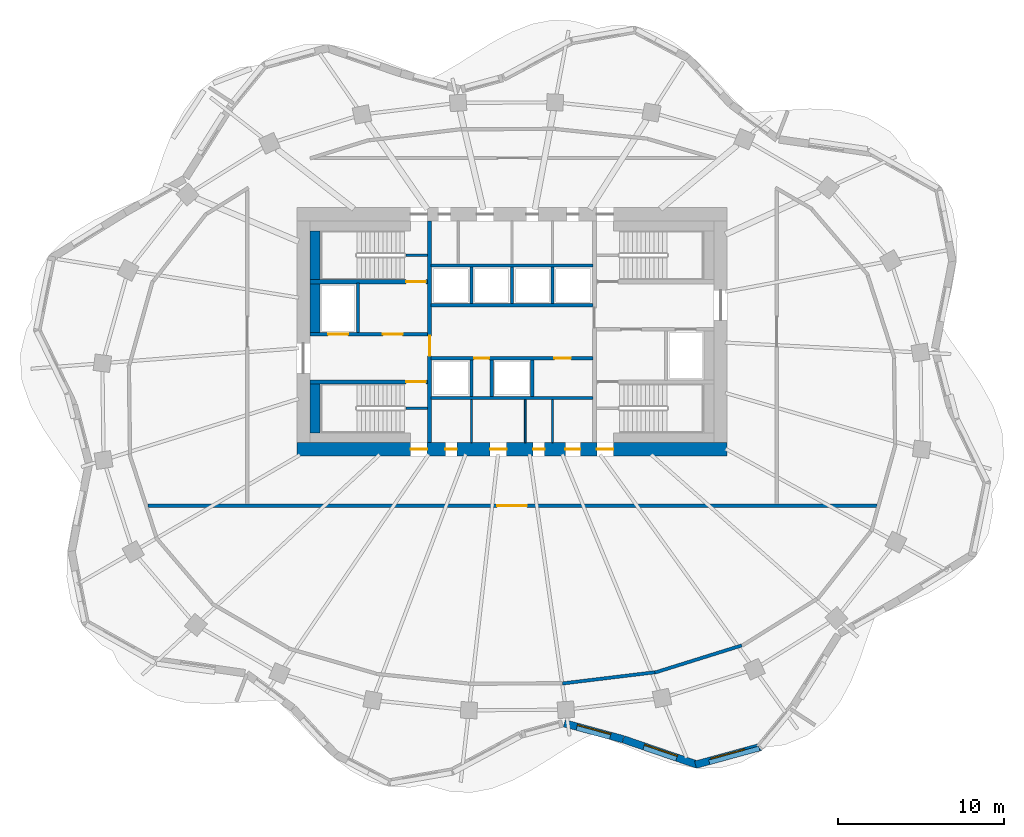
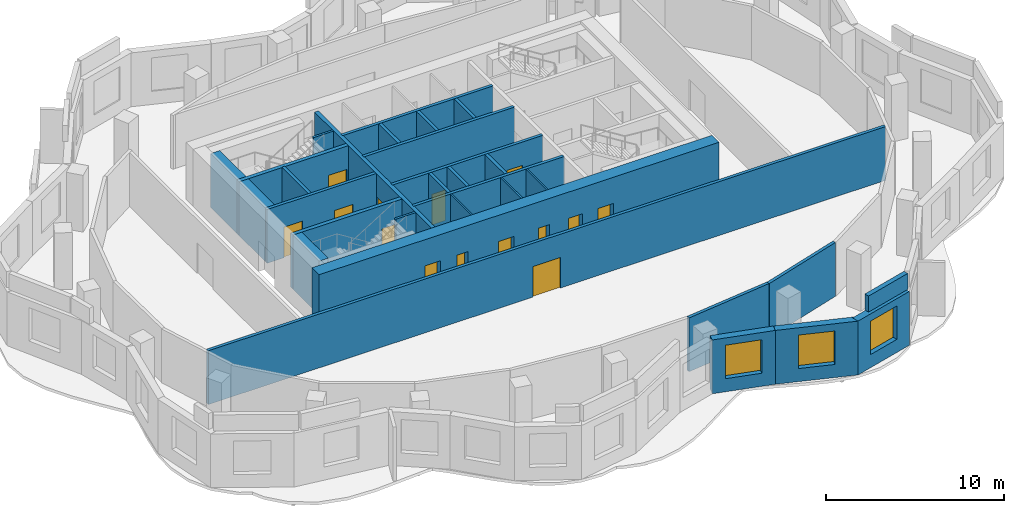
# One storey, part 4 of 8: 31 walls, 14 doors, 3 windows, 17 openings.
"""IFC4 building model written with IfcOpenShell, lengths in metres."""

import ifcopenshell
import ifcopenshell.guid

model = None  # the IFC model being written
_history = None  # IfcOwnerHistory: only IFC2X3 demands one
_inside = {}  # id of a spatial element -> (the spatial element, [elements in it])
_under = {}  # id of a project, library or spatial element -> (it, [spatial elements below it])
_declared = {}  # id of a project -> (the project, [libraries it declares])
_typed = {}  # id of a type object -> (the type object, [elements of that type])
_made_of = {}  # id of a material, layer set ... -> (it, [elements and type objects made of it])


def new_model(schema):
    """Start an empty IFC model of exactly this schema.

    Asked for "IFC4X3", IfcOpenShell would pick the latest addendum, in which some entities
    have other attributes; the version numbers below select the first issue.
    IFC2X3 requires an IfcOwnerHistory on every rooted entity: one is made here for all.
    """
    global model, _history
    if schema == "IFC4X3":
        model = ifcopenshell.file(schema_version=(4, 3, 0, 0))
    else:
        model = ifcopenshell.file(schema=schema)
    _inside.clear()
    _under.clear()
    _declared.clear()
    _typed.clear()
    _made_of.clear()
    _history = None
    if model.schema == "IFC2X3":
        org = make("IfcOrganization", Name="unknown")
        user = make(
            "IfcPersonAndOrganization",
            ThePerson=make("IfcPerson", FamilyName="unknown"),
            TheOrganization=org,
        )
        app = make(
            "IfcApplication",
            ApplicationDeveloper=org,
            Version="unknown",
            ApplicationFullName="unknown",
            ApplicationIdentifier="unknown",
        )
        _history = make(
            "IfcOwnerHistory",
            OwningUser=user,
            OwningApplication=app,
            ChangeAction="ADDED",
            CreationDate=0,
        )
    return model


def make(cls, **values):
    """One entity of the class cls with the attributes given. An attribute that is None is left unset."""
    return model.create_entity(
        cls, **{name: value for name, value in values.items() if value is not None}
    )


def rooted(cls, **values):
    """An entity with a GlobalId (a new one), such as an element, a storey or a relation."""
    return make(cls, GlobalId=ifcopenshell.guid.new(), OwnerHistory=_history, **values)


def si_unit(unit_type, name, prefix=None):
    """IfcSIUnit, for example si_unit("LENGTHUNIT", "METRE", prefix="MILLI")."""
    return make("IfcSIUnit", UnitType=unit_type, Prefix=prefix, Name=name)


def assignment(units):
    """IfcUnitAssignment: the units of a project."""
    return None if units is None else make("IfcUnitAssignment", Units=units)


def point(xyz):
    """IfcCartesianPoint."""
    return None if xyz is None else make("IfcCartesianPoint", Coordinates=xyz)


def direction(xyz):
    """IfcDirection."""
    return None if xyz is None else make("IfcDirection", DirectionRatios=xyz)


def frame(location, z_axis=None, x_axis=None):
    """IfcAxis2Placement3D, a coordinate frame: its origin and axes. An axis left out is left unset."""
    return make(
        "IfcAxis2Placement3D",
        Location=point(location),
        Axis=direction(z_axis),
        RefDirection=direction(x_axis),
    )


def frame_2d(location, x_axis=None):
    """IfcAxis2Placement2D, a coordinate frame in the plane: its origin and x axis."""
    return make(
        "IfcAxis2Placement2D", Location=point(location), RefDirection=direction(x_axis)
    )


def origin():
    """The frame at (0, 0, 0) with its axes left unset."""
    return frame((0.0, 0.0, 0.0))


def place(relative_to, where):
    """IfcLocalPlacement: puts the frame where relative to a parent placement (None: the world)."""
    return make(
        "IfcLocalPlacement", PlacementRelTo=relative_to, RelativePlacement=where
    )


def context(
    kind, dimensions, precision=None, world=None, true_north=None, identifier=None
):
    """IfcGeometricRepresentationContext, for example the 3D "Model" context."""
    return make(
        "IfcGeometricRepresentationContext",
        ContextIdentifier=identifier,
        ContextType=kind,
        CoordinateSpaceDimension=dimensions,
        Precision=precision,
        WorldCoordinateSystem=world,
        TrueNorth=true_north,
    )


def subcontext(parent, identifier, kind, view, scale=None):
    """IfcGeometricRepresentationSubContext, for example "Body" below "Model"."""
    return make(
        "IfcGeometricRepresentationSubContext",
        ContextIdentifier=identifier,
        ContextType=kind,
        ParentContext=parent,
        TargetScale=scale,
        TargetView=view,
    )


def project(units=None, contexts=None):
    """IfcProject with its units and contexts."""
    return rooted(
        "IfcProject",
        Name="project",
        RepresentationContexts=contexts,
        UnitsInContext=assignment(units),
    )


def spatial(cls, under=None, at=None, **own):
    """A site, building, storey or space (cls), placed at a placement, below another one or the project."""
    s = rooted(cls, ObjectPlacement=at, **own)
    if under is not None:
        _under.setdefault(under.id(), (under, []))[1].append(s)
    return s


def profile(cls, at=None, kind="AREA", **sizes):
    """A parametric profile (cls). Its sizes go by their IFC names, for example OverallWidth=200.0."""
    return make(cls, ProfileType=kind, Position=at, **sizes)


def rectangle(**sizes):
    """IfcRectangleProfileDef."""
    return profile("IfcRectangleProfileDef", **sizes)


def extrude(swept, where, along, depth):
    """IfcExtrudedAreaSolid: the profile swept, set in the frame where, extruded along a direction by depth."""
    return make(
        "IfcExtrudedAreaSolid",
        SweptArea=swept,
        Position=where,
        ExtrudedDirection=direction(along),
        Depth=depth,
    )


def shape(context_of_items, identifier, shape_type, items):
    """IfcShapeRepresentation: the items that make up one representation, for example the "Body"."""
    return make(
        "IfcShapeRepresentation",
        ContextOfItems=context_of_items,
        RepresentationIdentifier=identifier,
        RepresentationType=shape_type,
        Items=items,
    )


def material(Name=None, Category=None):
    """IfcMaterial."""
    return make("IfcMaterial", Name=Name, Category=Category)


def layer(
    of_material, thickness, ventilated=None, Name=None, Category=None, Priority=None
):
    """IfcMaterialLayer: one layer of a wall or slab, of a material (None: an air gap)."""
    return make(
        "IfcMaterialLayer",
        Material=of_material,
        LayerThickness=thickness,
        IsVentilated=ventilated,
        Name=Name,
        Category=Category,
        Priority=Priority,
    )


def layer_set(layers, Name=None):
    """IfcMaterialLayerSet."""
    return make("IfcMaterialLayerSet", MaterialLayers=layers, LayerSetName=Name)


def made_of(thing, what):
    """Note that an element or type object is made of a material, layer set ...; save() writes the relation."""
    if what is not None:
        _made_of.setdefault(what.id(), (what, []))[1].append(thing)
    return thing


def type_object(cls, material=None, **own):
    """A type object (cls), such as IfcWallType, which elements share."""
    return made_of(rooted(cls, **own), material)


def element(
    cls,
    number,
    at=None,
    inside=None,
    cuts=None,
    type_object=None,
    material=None,
    context=None,
    identifier="Body",
    shape_type=None,
    held_by="IfcProductDefinitionShape",
    body=None,
    shapes=None,
    **own,
):
    """One element of the class cls, such as IfcWall. Its Tag is "e" and its number.

    at: its placement. inside: the storey or other place that contains it. cuts: it is an
    opening in that element (IfcRelVoidsElement). A single representation is given by context,
    identifier, shape_type and body (its items); several are given by shapes. held_by: the class
    of the entity that holds the representations. save() writes the other relations.
    """
    e = rooted(cls, Tag="e%d" % number, ObjectPlacement=at, **own)
    if body is not None:
        shapes = [shape(context, identifier, shape_type, body)]
    if shapes is not None:
        e.Representation = make(held_by, Representations=shapes)
    if inside is not None:
        _inside.setdefault(inside.id(), (inside, []))[1].append(e)
    if cuts is not None:
        rooted(
            "IfcRelVoidsElement", RelatingBuildingElement=cuts, RelatedOpeningElement=e
        )
    if type_object is not None:
        _typed.setdefault(type_object.id(), (type_object, []))[1].append(e)
    return made_of(e, material)


def fill(opening, filler):
    """IfcRelFillsElement: the door or window that sits in an opening."""
    return rooted(
        "IfcRelFillsElement",
        RelatingOpeningElement=opening,
        RelatedBuildingElement=filler,
    )


def aggregate(whole, parts):
    """IfcRelAggregates: a whole, such as a stair, and the parts it consists of."""
    return rooted("IfcRelAggregates", RelatingObject=whole, RelatedObjects=parts)


def save(model, path):
    """Write the relations noted so far, then the file.

    IfcRelAggregates (storeys below a building ...), IfcRelContainedInSpatialStructure (elements
    in a storey), IfcRelDefinesByType, IfcRelAssociatesMaterial and IfcRelDeclares: one each for
    every whole, place, type object, material and project.
    """
    for whole, parts in _under.values():
        aggregate(whole, parts)
    for where, things in _inside.values():
        rooted(
            "IfcRelContainedInSpatialStructure",
            RelatedElements=things,
            RelatingStructure=where,
        )
    for kind, things in _typed.values():
        rooted("IfcRelDefinesByType", RelatedObjects=things, RelatingType=kind)
    for what, things in _made_of.values():
        rooted("IfcRelAssociatesMaterial", RelatedObjects=things, RelatingMaterial=what)
    for by, libraries in _declared.values():
        rooted("IfcRelDeclares", RelatingContext=by, RelatedDefinitions=libraries)
    model.write(path)


model = new_model("IFC4")

# Units and contexts
model_context = context("Model", 3, precision=1e-05, world=origin(), true_north=direction((0.0, 1.0)))
body_context = subcontext(model_context, "Body", "Model", "MODEL_VIEW")
ifc_project = project(units=[si_unit("LENGTHUNIT", "METRE"), si_unit("AREAUNIT", "SQUARE_METRE"), si_unit("VOLUMEUNIT", "CUBIC_METRE"), si_unit("PLANEANGLEUNIT", "RADIAN"), si_unit("MASSUNIT", "GRAM", prefix="KILO")], contexts=[model_context])

# Site, building, storey
site_placement = place(None, origin())
site = spatial("IfcSite", under=ifc_project, at=site_placement, CompositionType="ELEMENT")
building_placement = place(site_placement, origin())
building = spatial("IfcBuilding", under=site, at=building_placement, Name="Rubra Terraces Tower", CompositionType="ELEMENT")
storey_placement = place(building_placement, frame((0.0, 0.0, 193.5)))
storey = spatial("IfcBuildingStorey", under=building, at=storey_placement, Name="L47", CompositionType="ELEMENT", Elevation=193.5)

# Wall, opening, window
ifc_material_1 = material(Name="Brick masonry red-brown", Category="masonry")
ifc_layer_1 = layer(ifc_material_1, 0.449951171875)
ifc_layer_set_1 = layer_set([ifc_layer_1], Name="Brick masonry red-brown")
wall_type_1 = type_object("IfcWallType", Name="Brick facade wall 450", PredefinedType="SOLIDWALL", material=ifc_layer_set_1)
wall_1_placement = place(storey_placement, frame((3.164306640625, -19.147216796875, 0.0), z_axis=(0.0, 0.0, 1.0), x_axis=(0.965039479998, -0.262104563191, 0.0)))
wall_1 = element("IfcWall", 1, at=wall_1_placement, inside=storey, type_object=wall_type_1, Name="Facade wall L47 bay 32", PredefinedType="SOLIDWALL", context=body_context, shape_type="SweptSolid", body=[
    extrude(rectangle(XDim=3.671875, YDim=0.449951171875, at=frame_2d((1.8359375, 0.0))), origin(), (0.0, 0.0, 1.0), 3.699951171875),
])
opening_1_placement = place(wall_1_placement, frame((0.785888671875, 0.0, 0.89990234375)))
opening_1 = element("IfcOpeningElement", 2, at=opening_1_placement, cuts=wall_1, Name="Opening W1B", PredefinedType="OPENING", context=body_context, shape_type="SweptSolid", body=[
    extrude(rectangle(XDim=2.10009765625, YDim=2.300048828125, at=frame_2d((1.050048828125, 1.14990234375))), frame((0.0, 0.23486328125, 0.0), z_axis=(0.0, -1.0, 0.0), x_axis=(1.0, 0.0, 0.0)), (0.0, 0.0, 1.0), 0.469970703125),
])
ifc_material_2 = material(Name="Clear glass in aluminium frame", Category="aluminium")
window_type = type_object("IfcWindowType", Name="Fixed deep-set window tall storey 2100 x 2300", PartitioningType="SINGLE_PANEL", PredefinedType="WINDOW", material=ifc_material_2)
window_1_placement = place(opening_1_placement, origin())
window_1 = element("IfcWindow", 3, at=window_1_placement, inside=storey, type_object=window_type, Name="Window L47 bay 32", OverallHeight=2.300048828125, OverallWidth=2.10009765625, PartitioningType="SINGLE_PANEL", PredefinedType="WINDOW", context=body_context, shape_type="SweptSolid", body=[
    extrude(rectangle(XDim=2.10009765625, YDim=2.300048828125, at=frame_2d((1.050048828125, 1.14990234375))), frame((0.0, 0.135009765625, 0.0), z_axis=(0.0, -1.0, 0.0), x_axis=(1.0, 0.0, 0.0)), (0.0, 0.0, 1.0), 0.06005859375),
])
fill(opening_1, window_1)

wall_2_placement = place(storey_placement, frame((6.722900390625, -20.114013671875, 0.0), z_axis=(0.0, 0.0, 1.0), x_axis=(0.945947299026, -0.324320377815, 0.0)))
wall_2 = element("IfcWall", 4, at=wall_2_placement, inside=storey, type_object=wall_type_1, Name="Facade wall L47 bay 33", PredefinedType="SOLIDWALL", context=body_context, shape_type="SweptSolid", body=[
    extrude(rectangle(XDim=4.74462890625, YDim=0.449951171875, at=frame_2d((2.372314453125, 0.0))), origin(), (0.0, 0.0, 1.0), 3.699951171875),
])
opening_2_placement = place(wall_2_placement, frame((1.322265625, 0.0, 0.89990234375)))
opening_2 = element("IfcOpeningElement", 5, at=opening_2_placement, cuts=wall_2, Name="Opening W1B", PredefinedType="OPENING", context=body_context, shape_type="SweptSolid", body=[
    extrude(rectangle(XDim=2.10009765625, YDim=2.300048828125, at=frame_2d((1.050048828125, 1.14990234375))), frame((0.0, 0.23486328125, 0.0), z_axis=(0.0, -1.0, 0.0), x_axis=(1.0, 0.0, 0.0)), (0.0, 0.0, 1.0), 0.469970703125),
])
window_2_placement = place(opening_2_placement, origin())
window_2 = element("IfcWindow", 6, at=window_2_placement, inside=storey, type_object=window_type, Name="Window L47 bay 33", OverallHeight=2.300048828125, OverallWidth=2.10009765625, PartitioningType="SINGLE_PANEL", PredefinedType="WINDOW", context=body_context, shape_type="SweptSolid", body=[
    extrude(rectangle(XDim=2.10009765625, YDim=2.300048828125, at=frame_2d((1.050048828125, 1.14990234375))), frame((0.0, 0.135009765625, 0.0), z_axis=(0.0, -1.0, 0.0), x_axis=(1.0, 0.0, 0.0)), (0.0, 0.0, 1.0), 0.06005859375),
])
fill(opening_2, window_2)

wall_3_placement = place(storey_placement, frame((11.08251953125, -21.64990234375, 0.0), z_axis=(0.0, 0.0, 1.0), x_axis=(0.964483204983, 0.264144179011, 0.0)))
wall_3 = element("IfcWall", 7, at=wall_3_placement, inside=storey, type_object=wall_type_1, Name="Facade wall L47 bay 34", PredefinedType="SOLIDWALL", context=body_context, shape_type="SweptSolid", body=[
    extrude(rectangle(XDim=4.103759765625, YDim=0.449951171875, at=frame_2d((2.0517578125, 0.0))), origin(), (0.0, 0.0, 1.0), 3.699951171875),
])
opening_3_placement = place(wall_3_placement, frame((1.001953125, 0.0, 0.89990234375)))
opening_3 = element("IfcOpeningElement", 8, at=opening_3_placement, cuts=wall_3, Name="Opening W1B", PredefinedType="OPENING", context=body_context, shape_type="SweptSolid", body=[
    extrude(rectangle(XDim=2.10009765625, YDim=2.300048828125, at=frame_2d((1.050048828125, 1.14990234375))), frame((0.0, 0.23486328125, 0.0), z_axis=(0.0, -1.0, 0.0), x_axis=(1.0, 0.0, 0.0)), (0.0, 0.0, 1.0), 0.469970703125),
])
window_3_placement = place(opening_3_placement, origin())
window_3 = element("IfcWindow", 9, at=window_3_placement, inside=storey, type_object=window_type, Name="Window L47 bay 34", OverallHeight=2.300048828125, OverallWidth=2.10009765625, PartitioningType="SINGLE_PANEL", PredefinedType="WINDOW", context=body_context, shape_type="SweptSolid", body=[
    extrude(rectangle(XDim=2.10009765625, YDim=2.300048828125, at=frame_2d((1.050048828125, 1.14990234375))), frame((0.0, 0.135009765625, 0.0), z_axis=(0.0, -1.0, 0.0), x_axis=(1.0, 0.0, 0.0)), (0.0, 0.0, 1.0), 0.06005859375),
])
fill(opening_3, window_3)

# Wall
ifc_layer_2 = layer(ifc_material_1, 0.300048828125)
ifc_layer_set_2 = layer_set([ifc_layer_2], Name="Brick masonry red-brown")
wall_type_2 = type_object("IfcWallType", Name="Brick parapet 300", PredefinedType="PARAPET", material=ifc_layer_set_2)
wall_4_placement = place(storey_placement, frame((11.916259765625, -21.49951171875, 3.89990234375), z_axis=(0.0, 0.0, 1.0), x_axis=(0.964473787466, 0.264178563271, 0.0)))
element("IfcWall", 10, at=wall_4_placement, inside=storey, type_object=wall_type_2, Name="Parapet L47 bay 34", PredefinedType="PARAPET", context=body_context, shape_type="SweptSolid", body=[
    extrude(rectangle(XDim=3.1337890625, YDim=0.300048828125, at=frame_2d((1.56689453125, 0.0))), origin(), (0.0, 0.0, 1.0), 1.10009765625),
])

# Wall, openings, doors
ifc_material_3 = material(Name="Concrete C50", Category="concrete")
ifc_layer_3 = layer(ifc_material_3, 0.800048828125)
ifc_layer_set_3 = layer_set([ifc_layer_3], Name="Concrete C50")
wall_type_3 = type_object("IfcWallType", Name="CORE WALL 800 C50", PredefinedType="SHEAR", material=ifc_layer_set_3)
wall_5_placement = place(storey_placement, frame((-13.0, -2.60009765625, 0.0), z_axis=(0.0, 0.0, 1.0), x_axis=(1.0, 0.0, 0.0)))
wall_5 = element("IfcWall", 11, at=wall_5_placement, inside=storey, type_object=wall_type_3, Name="CORE WALL S L47", PredefinedType="SHEAR", context=body_context, shape_type="SweptSolid", body=[
    extrude(rectangle(XDim=26.0, YDim=0.800048828125, at=frame_2d((13.0, 0.0))), origin(), (0.0, 0.0, 1.0), 3.89990234375),
])
opening_4_placement = place(wall_5_placement, frame((8.97509765625, 0.0, 0.0)))
opening_4 = element("IfcOpeningElement", 12, at=opening_4_placement, cuts=wall_5, Name="Opening L47.C15", PredefinedType="OPENING", context=body_context, shape_type="SweptSolid", body=[
    extrude(rectangle(XDim=0.699951171875, YDim=2.10009765625, at=frame_2d((0.35009765625, 1.050048828125))), frame((0.0, 0.409912109375, 0.0), z_axis=(0.0, -1.0, 0.0), x_axis=(1.0, 0.0, 0.0)), (0.0, 0.0, 1.0), 0.820068359375),
])
opening_5_placement = place(wall_5_placement, frame((11.675048828125, 0.0, 0.0)))
opening_5 = element("IfcOpeningElement", 13, at=opening_5_placement, cuts=wall_5, Name="Opening L47.C16", PredefinedType="OPENING", context=body_context, shape_type="SweptSolid", body=[
    extrude(rectangle(XDim=1.0, YDim=2.10009765625, at=frame_2d((0.5, 1.050048828125))), frame((0.0, 0.409912109375, 0.0), z_axis=(0.0, -1.0, 0.0), x_axis=(1.0, 0.0, 0.0)), (0.0, 0.0, 1.0), 0.820068359375),
])
opening_6_placement = place(wall_5_placement, frame((14.27490234375, 0.0, 0.0)))
opening_6 = element("IfcOpeningElement", 14, at=opening_6_placement, cuts=wall_5, Name="Opening L47.C17", PredefinedType="OPENING", context=body_context, shape_type="SweptSolid", body=[
    extrude(rectangle(XDim=0.699951171875, YDim=2.10009765625, at=frame_2d((0.35009765625, 1.050048828125))), frame((0.0, 0.409912109375, 0.0), z_axis=(0.0, -1.0, 0.0), x_axis=(1.0, 0.0, 0.0)), (0.0, 0.0, 1.0), 0.820068359375),
])
opening_7_placement = place(wall_5_placement, frame((16.22509765625, 0.0, 0.0)))
opening_7 = element("IfcOpeningElement", 15, at=opening_7_placement, cuts=wall_5, Name="Opening L47.C18", PredefinedType="OPENING", context=body_context, shape_type="SweptSolid", body=[
    extrude(rectangle(XDim=0.89990234375, YDim=2.10009765625, at=frame_2d((0.449951171875, 1.050048828125))), frame((0.0, 0.409912109375, 0.0), z_axis=(0.0, -1.0, 0.0), x_axis=(1.0, 0.0, 0.0)), (0.0, 0.0, 1.0), 0.820068359375),
])
opening_8_placement = place(wall_5_placement, frame((6.8798828125, 0.0, 0.0)))
opening_8 = element("IfcOpeningElement", 16, at=opening_8_placement, cuts=wall_5, Name="Opening L47.C23", PredefinedType="OPENING", context=body_context, shape_type="SweptSolid", body=[
    extrude(rectangle(XDim=1.0, YDim=2.10009765625, at=frame_2d((0.5, 1.050048828125))), frame((0.0, 0.409912109375, 0.0), z_axis=(0.0, -1.0, 0.0), x_axis=(1.0, 0.0, 0.0)), (0.0, 0.0, 1.0), 0.820068359375),
])
opening_9_placement = place(wall_5_placement, frame((18.1201171875, 0.0, 0.0)))
opening_9 = element("IfcOpeningElement", 17, at=opening_9_placement, cuts=wall_5, Name="Opening L47.C26", PredefinedType="OPENING", context=body_context, shape_type="SweptSolid", body=[
    extrude(rectangle(XDim=1.0, YDim=2.10009765625, at=frame_2d((0.5, 1.050048828125))), frame((0.0, 0.409912109375, 0.0), z_axis=(0.0, -1.0, 0.0), x_axis=(1.0, 0.0, 0.0)), (0.0, 0.0, 1.0), 0.820068359375),
])
ifc_material_4 = material(Name="Painted steel", Category="steel")
door_type_1 = type_object("IfcDoorType", Name="Fire door 1000x2100 single", OperationType="NOTDEFINED", PredefinedType="DOOR", material=ifc_material_4)
door_1_placement = place(opening_5_placement, origin())
door_1 = element("IfcDoor", 18, at=door_1_placement, inside=storey, type_object=door_type_1, Name="General store door", OperationType="SINGLE_SWING_RIGHT", OverallHeight=2.10009765625, OverallWidth=1.0, PredefinedType="DOOR", context=body_context, shape_type="SweptSolid", body=[
    extrude(rectangle(XDim=1.0, YDim=2.10009765625, at=frame_2d((0.5, 1.050048828125))), frame((0.0, 0.02490234375, 0.0), z_axis=(0.0, -1.0, 0.0), x_axis=(1.0, 0.0, 0.0)), (0.0, 0.0, 1.0), 0.050048828125),
])
fill(opening_5, door_1)
door_2_placement = place(opening_8_placement, origin())
door_2 = element("IfcDoor", 19, at=door_2_placement, inside=storey, type_object=door_type_1, Name="Stair S1 refuge door", OperationType="SINGLE_SWING_LEFT", OverallHeight=2.10009765625, OverallWidth=1.0, PredefinedType="DOOR", context=body_context, shape_type="SweptSolid", body=[
    extrude(rectangle(XDim=1.0, YDim=2.10009765625, at=frame_2d((0.5, 1.050048828125))), frame((0.0, 0.02490234375, 0.0), z_axis=(0.0, -1.0, 0.0), x_axis=(1.0, 0.0, 0.0)), (0.0, 0.0, 1.0), 0.050048828125),
])
fill(opening_8, door_2)
door_3_placement = place(opening_9_placement, origin())
door_3 = element("IfcDoor", 20, at=door_3_placement, inside=storey, type_object=door_type_1, Name="Stair S4 refuge door", OperationType="SINGLE_SWING_RIGHT", OverallHeight=2.10009765625, OverallWidth=1.0, PredefinedType="DOOR", context=body_context, shape_type="SweptSolid", body=[
    extrude(rectangle(XDim=1.0, YDim=2.10009765625, at=frame_2d((0.5, 1.050048828125))), frame((0.0, 0.02490234375, 0.0), z_axis=(0.0, -1.0, 0.0), x_axis=(1.0, 0.0, 0.0)), (0.0, 0.0, 1.0), 0.050048828125),
])
fill(opening_9, door_3)
door_type_2 = type_object("IfcDoorType", Name="Fire door 900x2100 single", OperationType="NOTDEFINED", PredefinedType="DOOR", material=ifc_material_4)
door_4_placement = place(opening_7_placement, origin())
door_4 = element("IfcDoor", 21, at=door_4_placement, inside=storey, type_object=door_type_2, Name="Cleaner's store door", OperationType="SINGLE_SWING_RIGHT", OverallHeight=2.10009765625, OverallWidth=0.89990234375, PredefinedType="DOOR", context=body_context, shape_type="SweptSolid", body=[
    extrude(rectangle(XDim=0.89990234375, YDim=2.10009765625, at=frame_2d((0.449951171875, 1.050048828125))), frame((0.0, 0.02490234375, 0.0), z_axis=(0.0, -1.0, 0.0), x_axis=(1.0, 0.0, 0.0)), (0.0, 0.0, 1.0), 0.050048828125),
])
fill(opening_7, door_4)
door_type_3 = type_object("IfcDoorType", Name="Riser access door 700x2100 single", OperationType="NOTDEFINED", PredefinedType="DOOR", material=ifc_material_4)
door_5_placement = place(opening_4_placement, origin())
door_5 = element("IfcDoor", 22, at=door_5_placement, inside=storey, type_object=door_type_3, Name="M&E riser room door", OperationType="SINGLE_SWING_LEFT", OverallHeight=2.10009765625, OverallWidth=0.699951171875, PredefinedType="DOOR", context=body_context, shape_type="SweptSolid", body=[
    extrude(rectangle(XDim=0.699951171875, YDim=2.10009765625, at=frame_2d((0.35009765625, 1.050048828125))), frame((0.0, 0.02490234375, 0.0), z_axis=(0.0, -1.0, 0.0), x_axis=(1.0, 0.0, 0.0)), (0.0, 0.0, 1.0), 0.050048828125),
])
fill(opening_4, door_5)
door_6_placement = place(opening_6_placement, origin())
door_6 = element("IfcDoor", 23, at=door_6_placement, inside=storey, type_object=door_type_3, Name="Telecoms room door", OperationType="SINGLE_SWING_LEFT", OverallHeight=2.10009765625, OverallWidth=0.699951171875, PredefinedType="DOOR", context=body_context, shape_type="SweptSolid", body=[
    extrude(rectangle(XDim=0.699951171875, YDim=2.10009765625, at=frame_2d((0.35009765625, 1.050048828125))), frame((0.0, 0.02490234375, 0.0), z_axis=(0.0, -1.0, 0.0), x_axis=(1.0, 0.0, 0.0)), (0.0, 0.0, 1.0), 0.050048828125),
])
fill(opening_6, door_6)

# Walls
ifc_material_5 = material(Name="Concrete C40", Category="concrete")
ifc_layer_4 = layer(ifc_material_5, 0.60009765625)
ifc_layer_set_4 = layer_set([ifc_layer_4], Name="Concrete C40")
wall_type_4 = type_object("IfcWallType", Name="Core lining wall 600 concrete", PredefinedType="SOLIDWALL", material=ifc_layer_set_4)
wall_6_placement = place(storey_placement, frame((-11.89990234375, -1.60009765625, 0.0), z_axis=(0.0, 0.0, 1.0), x_axis=(0.0, 1.0, 0.0)))
element("IfcWall", 24, at=wall_6_placement, inside=storey, type_object=wall_type_4, Name="CORE LINING WALL L47", PredefinedType="SOLIDWALL", context=body_context, shape_type="SweptSolid", body=[
    extrude(rectangle(XDim=2.9501953125, YDim=0.60009765625, at=frame_2d((1.47509765625, 0.0))), origin(), (0.0, 0.0, 1.0), 3.699951171875),
])
wall_7_placement = place(storey_placement, frame((-11.89990234375, 4.449951171875, 0.0), z_axis=(0.0, 0.0, 1.0), x_axis=(0.0, 1.0, 0.0)))
element("IfcWall", 25, at=wall_7_placement, inside=storey, type_object=wall_type_4, Name="CORE LINING WALL L47", PredefinedType="SOLIDWALL", context=body_context, shape_type="SweptSolid", body=[
    extrude(rectangle(XDim=3.0, YDim=0.60009765625, at=frame_2d((1.5, 0.0))), origin(), (0.0, 0.0, 1.0), 3.699951171875),
])
wall_8_placement = place(storey_placement, frame((-11.89990234375, 7.64990234375, 0.0), z_axis=(0.0, 0.0, 1.0), x_axis=(0.0, 1.0, 0.0)))
element("IfcWall", 26, at=wall_8_placement, inside=storey, type_object=wall_type_4, Name="CORE LINING WALL L47", PredefinedType="SOLIDWALL", context=body_context, shape_type="SweptSolid", body=[
    extrude(rectangle(XDim=2.9501953125, YDim=0.60009765625, at=frame_2d((1.47509765625, 0.0))), origin(), (0.0, 0.0, 1.0), 3.699951171875),
])

# Wall, openings, doors
ifc_material_6 = material(Name="Concrete C30", Category="concrete")
ifc_layer_5 = layer(ifc_material_6, 0.199951171875)
ifc_layer_set_5 = layer_set([ifc_layer_5], Name="Concrete C30")
wall_type_5 = type_object("IfcWallType", Name="Core wall 200 concrete", PredefinedType="SOLIDWALL", material=ifc_layer_set_5)
wall_9_placement = place(storey_placement, frame((-12.199951171875, 4.35009765625, 0.0), z_axis=(0.0, 0.0, 1.0), x_axis=(1.0, 0.0, 0.0)))
wall_9 = element("IfcWall", 27, at=wall_9_placement, inside=storey, type_object=wall_type_5, Name="STAIR WALL L47", PredefinedType="SOLIDWALL", context=body_context, shape_type="SweptSolid", body=[
    extrude(rectangle(XDim=7.099853515625, YDim=0.199951171875, at=frame_2d((3.5498046875, 0.0))), origin(), (0.0, 0.0, 1.0), 3.699951171875),
])
opening_10_placement = place(wall_9_placement, frame((4.39990234375, 0.0, 0.0)))
opening_10 = element("IfcOpeningElement", 28, at=opening_10_placement, cuts=wall_9, Name="Opening L47.C05", PredefinedType="OPENING", context=body_context, shape_type="SweptSolid", body=[
    extrude(rectangle(XDim=1.199951171875, YDim=2.10009765625, at=frame_2d((0.60009765625, 1.050048828125))), frame((0.0, 0.10986328125, 0.0), z_axis=(0.0, -1.0, 0.0), x_axis=(1.0, 0.0, 0.0)), (0.0, 0.0, 1.0), 0.219970703125),
])
opening_11_placement = place(wall_9_placement, frame((1.10009765625, 0.0, 0.0)))
opening_11 = element("IfcOpeningElement", 29, at=opening_11_placement, cuts=wall_9, Name="Opening L47.C11", PredefinedType="OPENING", context=body_context, shape_type="SweptSolid", body=[
    extrude(rectangle(XDim=1.199951171875, YDim=2.10009765625, at=frame_2d((0.60009765625, 1.050048828125))), frame((0.0, 0.10986328125, 0.0), z_axis=(0.0, -1.0, 0.0), x_axis=(1.0, 0.0, 0.0)), (0.0, 0.0, 1.0), 0.219970703125),
])
door_type_4 = type_object("IfcDoorType", Name="Fire door 1200x2100 single", OperationType="NOTDEFINED", PredefinedType="DOOR", material=ifc_material_4)
door_7_placement = place(opening_10_placement, origin())
door_7 = element("IfcDoor", 30, at=door_7_placement, inside=storey, type_object=door_type_4, Name="Stair vestibule door S2", OperationType="SINGLE_SWING_LEFT", OverallHeight=2.10009765625, OverallWidth=1.199951171875, PredefinedType="DOOR", context=body_context, shape_type="SweptSolid", body=[
    extrude(rectangle(XDim=1.199951171875, YDim=2.10009765625, at=frame_2d((0.60009765625, 1.050048828125))), frame((0.0, 0.02490234375, 0.0), z_axis=(0.0, -1.0, 0.0), x_axis=(1.0, 0.0, 0.0)), (0.0, 0.0, 1.0), 0.050048828125),
])
fill(opening_10, door_7)
ifc_material_7 = material(Name="Stainless steel", Category="steel")
door_type_5 = type_object("IfcDoorType", Name="Lift landing door 1200x2100", OperationType="NOTDEFINED", PredefinedType="DOOR", material=ifc_material_7)
door_8_placement = place(opening_11_placement, origin())
door_8 = element("IfcDoor", 31, at=door_8_placement, inside=storey, type_object=door_type_5, Name="Landing door FF1", OperationType="SLIDING_TO_RIGHT", OverallHeight=2.10009765625, OverallWidth=1.199951171875, PredefinedType="DOOR", context=body_context, shape_type="SweptSolid", body=[
    extrude(rectangle(XDim=1.199951171875, YDim=2.10009765625, at=frame_2d((0.60009765625, 1.050048828125))), frame((0.0, 0.02490234375, 0.0), z_axis=(0.0, -1.0, 0.0), x_axis=(1.0, 0.0, 0.0)), (0.0, 0.0, 1.0), 0.050048828125),
])
fill(opening_11, door_8)

# Walls
wall_10_placement = place(storey_placement, frame((-9.300048828125, 4.449951171875, 0.0), z_axis=(0.0, 0.0, 1.0), x_axis=(0.0, 1.0, 0.0)))
element("IfcWall", 32, at=wall_10_placement, inside=storey, type_object=wall_type_5, Name="STAIR WALL L47", PredefinedType="SOLIDWALL", context=body_context, shape_type="SweptSolid", body=[
    extrude(rectangle(XDim=3.0, YDim=0.199951171875, at=frame_2d((1.5, 0.0))), origin(), (0.0, 0.0, 1.0), 3.699951171875),
])
wall_11_placement = place(storey_placement, frame((-4.89990234375, 0.5, 0.0), z_axis=(0.0, 0.0, 1.0), x_axis=(1.0, 0.0, 0.0)))
element("IfcWall", 33, at=wall_11_placement, inside=storey, type_object=wall_type_5, Name="LIFT SHAFT WALL L47", PredefinedType="SOLIDWALL", context=body_context, shape_type="SweptSolid", body=[
    extrude(rectangle(XDim=9.7998046875, YDim=0.199951171875, at=frame_2d((4.89990234375, 0.0))), origin(), (0.0, 0.0, 1.0), 3.699951171875),
])

# Wall, openings, doors
wall_12_placement = place(storey_placement, frame((-4.89990234375, 2.89990234375, 0.0), z_axis=(0.0, 0.0, 1.0), x_axis=(1.0, 0.0, 0.0)))
wall_12 = element("IfcWall", 34, at=wall_12_placement, inside=storey, type_object=wall_type_5, Name="LIFT SHAFT WALL L47", PredefinedType="SOLIDWALL", context=body_context, shape_type="SweptSolid", body=[
    extrude(rectangle(XDim=9.7998046875, YDim=0.199951171875, at=frame_2d((4.89990234375, 0.0))), origin(), (0.0, 0.0, 1.0), 3.699951171875),
])
opening_12_placement = place(wall_12_placement, frame((2.613037109375, 0.0, 0.0)))
opening_12 = element("IfcOpeningElement", 35, at=opening_12_placement, cuts=wall_12, Name="Opening L47.C13", PredefinedType="OPENING", context=body_context, shape_type="SweptSolid", body=[
    extrude(rectangle(XDim=0.89990234375, YDim=2.10009765625, at=frame_2d((0.449951171875, 1.050048828125))), frame((0.0, 0.10986328125, 0.0), z_axis=(0.0, -1.0, 0.0), x_axis=(1.0, 0.0, 0.0)), (0.0, 0.0, 1.0), 0.219970703125),
])
opening_13_placement = place(wall_12_placement, frame((7.462890625, 0.0, 0.0)))
opening_13 = element("IfcOpeningElement", 36, at=opening_13_placement, cuts=wall_12, Name="Opening L47.C14", PredefinedType="OPENING", context=body_context, shape_type="SweptSolid", body=[
    extrude(rectangle(XDim=1.0, YDim=2.10009765625, at=frame_2d((0.5, 1.050048828125))), frame((0.0, 0.10986328125, 0.0), z_axis=(0.0, -1.0, 0.0), x_axis=(1.0, 0.0, 0.0)), (0.0, 0.0, 1.0), 0.219970703125),
])
door_9_placement = place(opening_13_placement, origin())
door_9 = element("IfcDoor", 37, at=door_9_placement, inside=storey, type_object=door_type_1, Name="General store door", OperationType="SINGLE_SWING_RIGHT", OverallHeight=2.10009765625, OverallWidth=1.0, PredefinedType="DOOR", context=body_context, shape_type="SweptSolid", body=[
    extrude(rectangle(XDim=1.0, YDim=2.10009765625, at=frame_2d((0.5, 1.050048828125))), frame((0.0, 0.02490234375, 0.0), z_axis=(0.0, -1.0, 0.0), x_axis=(1.0, 0.0, 0.0)), (0.0, 0.0, 1.0), 0.050048828125),
])
fill(opening_13, door_9)
door_10_placement = place(opening_12_placement, origin())
door_10 = element("IfcDoor", 38, at=door_10_placement, inside=storey, type_object=door_type_2, Name="Cleaner's store door", OperationType="SINGLE_SWING_LEFT", OverallHeight=2.10009765625, OverallWidth=0.89990234375, PredefinedType="DOOR", context=body_context, shape_type="SweptSolid", body=[
    extrude(rectangle(XDim=0.89990234375, YDim=2.10009765625, at=frame_2d((0.449951171875, 1.050048828125))), frame((0.0, 0.02490234375, 0.0), z_axis=(0.0, -1.0, 0.0), x_axis=(1.0, 0.0, 0.0)), (0.0, 0.0, 1.0), 0.050048828125),
])
fill(opening_12, door_10)

# Walls
for number, where, z_axis, x_axis, name in (
    (39, (-4.89990234375, 6.10009765625, 0.0), (0.0, 0.0, 1.0), (1.0, 0.0, 0.0), "LIFT SHAFT WALL L47"),
    (40, (-4.89990234375, 8.5, 0.0), (0.0, 0.0, 1.0), (1.0, 0.0, 0.0), "LIFT SHAFT WALL L47"),
):
    element("IfcWall", number, at=place(storey_placement, frame(where, z_axis=z_axis, x_axis=x_axis)), inside=storey, type_object=wall_type_5, Name=name, PredefinedType="SOLIDWALL", context=body_context, shape_type="SweptSolid", body=[
        extrude(rectangle(XDim=9.7998046875, YDim=0.199951171875, at=frame_2d((4.89990234375, 0.0))), origin(), (0.0, 0.0, 1.0), 3.699951171875),
    ])
for number, where, z_axis, x_axis, name in (
    (41, (-2.449951171875, 0.60009765625, 0.0), (0.0, 0.0, 1.0), (0.0, 1.0, 0.0), "LIFT SHAFT WALL L47"),
    (42, (-1.22509765625, 0.60009765625, 0.0), (0.0, 0.0, 1.0), (0.0, 1.0, 0.0), "LIFT SHAFT WALL L47"),
    (43, (1.22509765625, 0.60009765625, 0.0), (0.0, 0.0, 1.0), (0.0, 1.0, 0.0), "LIFT SHAFT WALL L47"),
    (44, (-2.449951171875, 6.199951171875, 0.0), (0.0, 0.0, 1.0), (0.0, 1.0, 0.0), "LIFT SHAFT WALL L47"),
    (45, (0.0, 6.199951171875, 0.0), (0.0, 0.0, 1.0), (0.0, 1.0, 0.0), "LIFT SHAFT WALL L47"),
    (46, (2.449951171875, 6.199951171875, 0.0), (0.0, 0.0, 1.0), (0.0, 1.0, 0.0), "LIFT SHAFT WALL L47"),
):
    element("IfcWall", number, at=place(storey_placement, frame(where, z_axis=z_axis, x_axis=x_axis)), inside=storey, type_object=wall_type_5, Name=name, PredefinedType="SOLIDWALL", context=body_context, shape_type="SweptSolid", body=[
        extrude(rectangle(XDim=2.199951171875, YDim=0.199951171875, at=frame_2d((1.10009765625, 0.0))), origin(), (0.0, 0.0, 1.0), 3.699951171875),
    ])
ifc_material_8 = material(Name="Blockwork", Category="masonry")
ifc_layer_6 = layer(ifc_material_8, 0.199951171875)
ifc_layer_set_6 = layer_set([ifc_layer_6], Name="Blockwork")
wall_type_6 = type_object("IfcWallType", Name="Corridor partition 200 blockwork", PredefinedType="PARTITIONING", material=ifc_layer_set_6)
wall_13_placement = place(storey_placement, frame((13.875, -14.445068359375, 0.0), z_axis=(0.0, 0.0, 1.0), x_axis=(-0.954489463941, -0.298244636541, 0.0)))
element("IfcWall", 47, at=wall_13_placement, inside=storey, type_object=wall_type_6, Name="Partition wall", PredefinedType="PARTITIONING", context=body_context, shape_type="SweptSolid", body=[
    extrude(rectangle(XDim=5.4951171875, YDim=0.199951171875, at=frame_2d((2.74755859375, 0.0))), origin(), (0.0, 0.0, 1.0), 3.699951171875),
])
wall_14_placement = place(storey_placement, frame((8.6259765625, -16.06591796875, 0.0), z_axis=(0.0, 0.0, 1.0), x_axis=(-0.992720392358, -0.120441780942, 0.0)))
element("IfcWall", 48, at=wall_14_placement, inside=storey, type_object=wall_type_6, Name="Partition wall", PredefinedType="PARTITIONING", context=body_context, shape_type="SweptSolid", body=[
    extrude(rectangle(XDim=5.61279296875, YDim=0.199951171875, at=frame_2d((2.806396484375, 0.0))), origin(), (0.0, 0.0, 1.0), 3.699951171875),
])

# Wall, opening, door
wall_15_placement = place(storey_placement, frame((-21.998046875, -6.0, 0.0), z_axis=(0.0, 0.0, 1.0), x_axis=(1.0, 0.0, 0.0)))
wall_15 = element("IfcWall", 49, at=wall_15_placement, inside=storey, type_object=wall_type_6, Name="Partition wall", PredefinedType="PARTITIONING", context=body_context, shape_type="SweptSolid", body=[
    extrude(rectangle(XDim=44.0361328125, YDim=0.199951171875, at=frame_2d((22.01806640625, 0.0))), origin(), (0.0, 0.0, 1.0), 3.699951171875),
])
opening_14_placement = place(wall_15_placement, frame((21.097900390625, 0.0, 0.0)))
opening_14 = element("IfcOpeningElement", 50, at=opening_14_placement, cuts=wall_15, Name="Opening DB3", PredefinedType="OPENING", context=body_context, shape_type="SweptSolid", body=[
    extrude(rectangle(XDim=1.800048828125, YDim=2.10009765625, at=frame_2d((0.89990234375, 1.050048828125))), frame((0.0, 0.10986328125, 0.0), z_axis=(0.0, -1.0, 0.0), x_axis=(1.0, 0.0, 0.0)), (0.0, 0.0, 1.0), 0.219970703125),
])
door_type_6 = type_object("IfcDoorType", Name="Door 1800x2100 double", OperationType="NOTDEFINED", PredefinedType="DOOR", material=ifc_material_4)
door_11_placement = place(opening_14_placement, origin())
door_11 = element("IfcDoor", 51, at=door_11_placement, inside=storey, type_object=door_type_6, Name="Refuge area door L47-01", OperationType="DOUBLE_DOOR_SINGLE_SWING", OverallHeight=2.10009765625, OverallWidth=1.800048828125, PredefinedType="DOOR", context=body_context, shape_type="SweptSolid", body=[
    extrude(rectangle(XDim=1.800048828125, YDim=2.10009765625, at=frame_2d((0.89990234375, 1.050048828125))), frame((0.0, 0.02490234375, 0.0), z_axis=(0.0, -1.0, 0.0), x_axis=(1.0, 0.0, 0.0)), (0.0, 0.0, 1.0), 0.050048828125),
])
fill(opening_14, door_11)

# Walls
ifc_layer_7 = layer(ifc_material_8, 0.10009765625)
ifc_layer_set_7 = layer_set([ifc_layer_7], Name="Blockwork")
wall_type_7 = type_object("IfcWallType", Name="Service partition 100 blockwork", PredefinedType="PARTITIONING", material=ifc_layer_set_7)
for number, where, z_axis, x_axis, name in (
    (52, (-2.449951171875, -2.199951171875, 0.0), (0.0, 0.0, 1.0), (0.0, 1.0, 0.0), "SERVICE ROOM PARTITION L47"),
    (53, (0.800048828125, -2.199951171875, 0.0), (0.0, 0.0, 1.0), (0.0, 1.0, 0.0), "SERVICE ROOM PARTITION L47"),
    (54, (2.449951171875, -2.199951171875, 0.0), (0.0, 0.0, 1.0), (0.0, 1.0, 0.0), "SERVICE ROOM PARTITION L47"),
):
    element("IfcWall", number, at=place(storey_placement, frame(where, z_axis=z_axis, x_axis=x_axis)), inside=storey, type_object=wall_type_7, Name=name, PredefinedType="PARTITIONING", context=body_context, shape_type="SweptSolid", body=[
        extrude(rectangle(XDim=2.599853515625, YDim=0.10009765625, at=frame_2d((1.2998046875, 0.0))), origin(), (0.0, 0.0, 1.0), 3.699951171875),
    ])

# Wall, opening, door
ifc_layer_8 = layer(ifc_material_5, 0.25)
ifc_layer_set_8 = layer_set([ifc_layer_8], Name="Concrete C40")
wall_type_8 = type_object("IfcWallType", Name="Stair enclosure wall 250 concrete", PredefinedType="SOLIDWALL", material=ifc_layer_set_8)
wall_16_placement = place(storey_placement, frame((-12.199951171875, 1.47509765625, 0.0), z_axis=(0.0, 0.0, 1.0), x_axis=(1.0, 0.0, 0.0)))
wall_16 = element("IfcWall", 55, at=wall_16_placement, inside=storey, type_object=wall_type_8, Name="STAIR WALL L47", PredefinedType="SOLIDWALL", context=body_context, shape_type="SweptSolid", body=[
    extrude(rectangle(XDim=7.099853515625, YDim=0.25, at=frame_2d((3.5498046875, 0.0))), origin(), (0.0, 0.0, 1.0), 3.699951171875),
])
opening_15_placement = place(wall_16_placement, frame((5.800048828125, 0.0, 0.0)))
opening_15 = element("IfcOpeningElement", 56, at=opening_15_placement, cuts=wall_16, Name="Opening L47.C07", PredefinedType="OPENING", context=body_context, shape_type="SweptSolid", body=[
    extrude(rectangle(XDim=1.199951171875, YDim=2.10009765625, at=frame_2d((0.60009765625, 1.050048828125))), frame((0.0, 0.135009765625, 0.0), z_axis=(0.0, -1.0, 0.0), x_axis=(1.0, 0.0, 0.0)), (0.0, 0.0, 1.0), 0.27001953125),
])
door_12_placement = place(opening_15_placement, origin())
door_12 = element("IfcDoor", 57, at=door_12_placement, inside=storey, type_object=door_type_4, Name="Stair door S1", OperationType="SINGLE_SWING_LEFT", OverallHeight=2.10009765625, OverallWidth=1.199951171875, PredefinedType="DOOR", context=body_context, shape_type="SweptSolid", body=[
    extrude(rectangle(XDim=1.199951171875, YDim=2.10009765625, at=frame_2d((0.60009765625, 1.050048828125))), frame((0.0, 0.02490234375, 0.0), z_axis=(0.0, -1.0, 0.0), x_axis=(1.0, 0.0, 0.0)), (0.0, 0.0, 1.0), 0.050048828125),
])
fill(opening_15, door_12)

wall_17_placement = place(storey_placement, frame((-12.199951171875, 7.52490234375, 0.0), z_axis=(0.0, 0.0, 1.0), x_axis=(1.0, 0.0, 0.0)))
wall_17 = element("IfcWall", 58, at=wall_17_placement, inside=storey, type_object=wall_type_8, Name="STAIR WALL L47", PredefinedType="SOLIDWALL", context=body_context, shape_type="SweptSolid", body=[
    extrude(rectangle(XDim=7.099853515625, YDim=0.25, at=frame_2d((3.5498046875, 0.0))), origin(), (0.0, 0.0, 1.0), 3.699951171875),
])
opening_16_placement = place(wall_17_placement, frame((5.800048828125, 0.0, 0.0)))
opening_16 = element("IfcOpeningElement", 59, at=opening_16_placement, cuts=wall_17, Name="Opening L47.C09", PredefinedType="OPENING", context=body_context, shape_type="SweptSolid", body=[
    extrude(rectangle(XDim=1.199951171875, YDim=2.10009765625, at=frame_2d((0.60009765625, 1.050048828125))), frame((0.0, 0.135009765625, 0.0), z_axis=(0.0, -1.0, 0.0), x_axis=(1.0, 0.0, 0.0)), (0.0, 0.0, 1.0), 0.27001953125),
])
door_13_placement = place(opening_16_placement, origin())
door_13 = element("IfcDoor", 60, at=door_13_placement, inside=storey, type_object=door_type_4, Name="Stair door S2", OperationType="SINGLE_SWING_LEFT", OverallHeight=2.10009765625, OverallWidth=1.199951171875, PredefinedType="DOOR", context=body_context, shape_type="SweptSolid", body=[
    extrude(rectangle(XDim=1.199951171875, YDim=2.10009765625, at=frame_2d((0.60009765625, 1.050048828125))), frame((0.0, 0.02490234375, 0.0), z_axis=(0.0, -1.0, 0.0), x_axis=(1.0, 0.0, 0.0)), (0.0, 0.0, 1.0), 0.050048828125),
])
fill(opening_16, door_13)

wall_18_placement = place(storey_placement, frame((-4.97509765625, -2.199951171875, 0.0), z_axis=(0.0, 0.0, 1.0), x_axis=(0.0, 1.0, 0.0)))
wall_18 = element("IfcWall", 61, at=wall_18_placement, inside=storey, type_object=wall_type_8, Name="CORE LOBBY WALL L47", PredefinedType="SOLIDWALL", context=body_context, shape_type="SweptSolid", body=[
    extrude(rectangle(XDim=13.39990234375, YDim=0.25, at=frame_2d((6.699951171875, 0.0))), origin(), (0.0, 0.0, 1.0), 3.699951171875),
])
opening_17_placement = place(wall_18_placement, frame((5.25, 0.0, 0.0)))
opening_17 = element("IfcOpeningElement", 62, at=opening_17_placement, cuts=wall_18, Name="Opening L47.C03", PredefinedType="OPENING", context=body_context, shape_type="SweptSolid", body=[
    extrude(rectangle(XDim=1.199951171875, YDim=2.10009765625, at=frame_2d((0.60009765625, 1.050048828125))), frame((0.0, 0.135009765625, 0.0), z_axis=(0.0, -1.0, 0.0), x_axis=(1.0, 0.0, 0.0)), (0.0, 0.0, 1.0), 0.27001953125),
])
door_14_placement = place(opening_17_placement, origin())
door_14 = element("IfcDoor", 63, at=door_14_placement, inside=storey, type_object=door_type_4, Name="Firefighting lobby door FF1", OperationType="SINGLE_SWING_LEFT", OverallHeight=2.10009765625, OverallWidth=1.199951171875, PredefinedType="DOOR", context=body_context, shape_type="SweptSolid", body=[
    extrude(rectangle(XDim=1.199951171875, YDim=2.10009765625, at=frame_2d((0.60009765625, 1.050048828125))), frame((0.0, 0.02490234375, 0.0), z_axis=(0.0, -1.0, 0.0), x_axis=(1.0, 0.0, 0.0)), (0.0, 0.0, 1.0), 0.050048828125),
])
fill(opening_17, door_14)

# Walls
ifc_layer_9 = layer(ifc_material_5, 0.14990234375)
ifc_layer_set_9 = layer_set([ifc_layer_9], Name="Concrete C40")
wall_type_9 = type_object("IfcWallType", Name="Stair separation wall 150 concrete", PredefinedType="SOLIDWALL", material=ifc_layer_set_9)
for number, where, z_axis, x_axis, name in (
    (64, (-6.39990234375, -0.125, 0.0), (0.0, 0.0, 1.0), (1.0, 0.0, 0.0), "STAIR SEPARATION WALL L47"),
    (65, (-6.39990234375, 9.125, 0.0), (0.0, 0.0, 1.0), (1.0, 0.0, 0.0), "STAIR SEPARATION WALL L47"),
):
    element("IfcWall", number, at=place(storey_placement, frame(where, z_axis=z_axis, x_axis=x_axis)), inside=storey, type_object=wall_type_9, Name=name, PredefinedType="SOLIDWALL", context=body_context, shape_type="SweptSolid", body=[
        extrude(rectangle(XDim=1.2998046875, YDim=0.14990234375, at=frame_2d((0.64990234375, 0.0))), origin(), (0.0, 0.0, 1.0), 3.699951171875),
    ])

save(model, "model.ifc")
